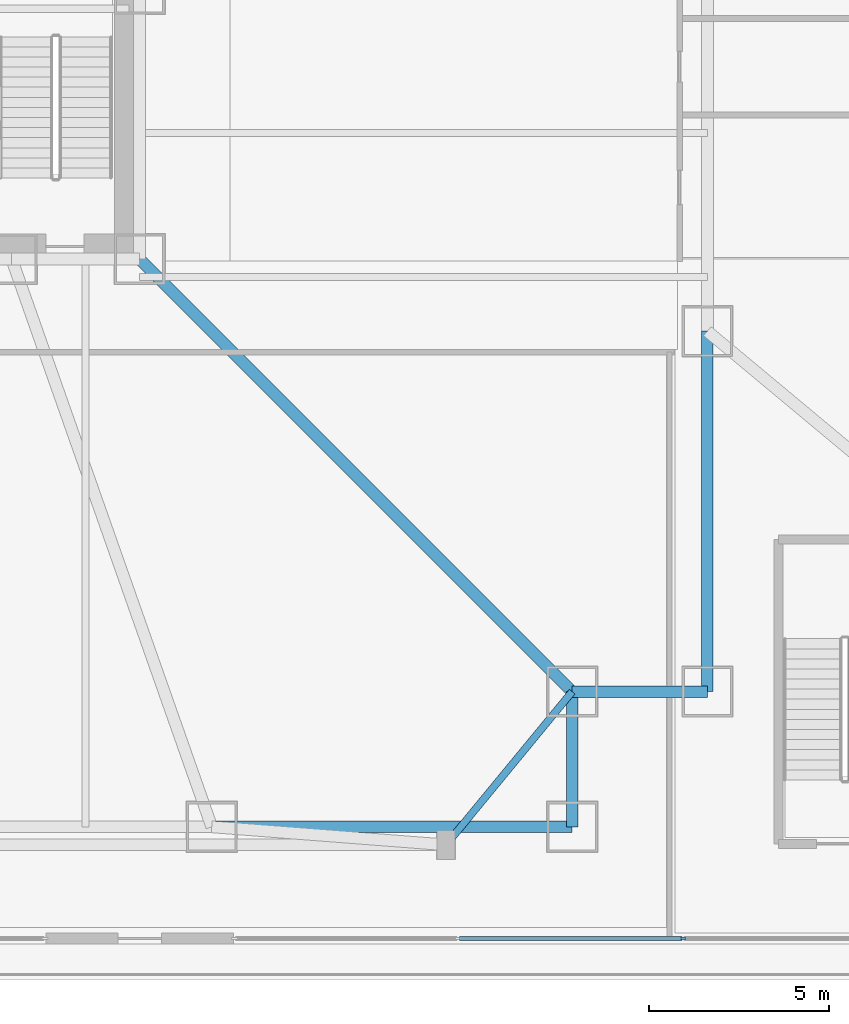
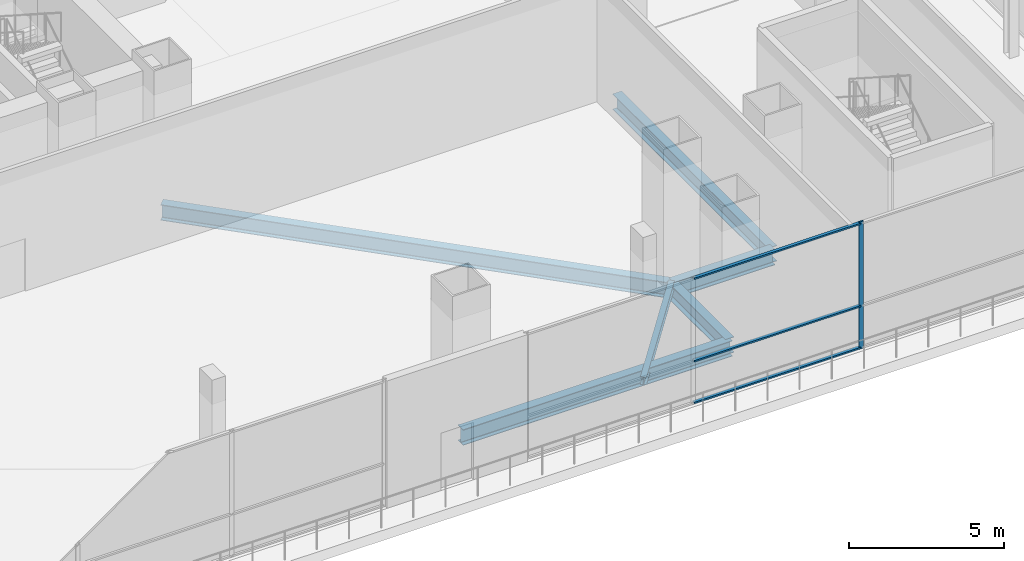
# One storey, part 10 of 35: 6 beams, 4 members, 1 element without a shape of its own.
"""IFC4 building model written with IfcOpenShell, lengths in metres."""

from ifc_helpers import new_model, si_unit, direction, frame, origin, origin_2d, place, context, subcontext, project, spatial, rectangle, i_section, extrude, material, layer, layer_set, material_profile, profile_set, type_object, element, aggregate, save


model = new_model("IFC4")

# Units and contexts
model_context = context("Model", 3, precision=1e-05, world=origin(), true_north=direction((0.0, 1.0)))
body_context = subcontext(model_context, "Body", "Model", "MODEL_VIEW")
ifc_project = project(units=[si_unit("LENGTHUNIT", "METRE"), si_unit("AREAUNIT", "SQUARE_METRE"), si_unit("VOLUMEUNIT", "CUBIC_METRE"), si_unit("PLANEANGLEUNIT", "RADIAN"), si_unit("MASSUNIT", "GRAM", prefix="KILO")], contexts=[model_context])

# Site, building, storey
site_placement = place(None, origin())
site = spatial("IfcSite", under=ifc_project, at=site_placement, CompositionType="ELEMENT")
building_placement = place(site_placement, origin())
building = spatial("IfcBuilding", under=site, at=building_placement, Name="Trevonay Congress Spire", CompositionType="ELEMENT")
storey_placement = place(building_placement, frame((0.0, 0.0, 10.800048828125)))
storey = spatial("IfcBuildingStorey", under=building, at=storey_placement, Name="L02", CompositionType="ELEMENT", Elevation=10.800048828125)

# Beams
ifc_material_1 = material(Name="Steel ASTM A572 Grade 50", Category="steel")
ifc_material_profile_1 = material_profile(ifc_material_1, i_section(OverallWidth=0.324951171875, OverallDepth=0.615966796875, WebThickness=0.013916015625, FlangeThickness=0.021484375, FilletRadius=0.01806640625, at=origin_2d()), Name="W610x174")
ifc_profile_set_1 = profile_set([ifc_material_profile_1], Name="Steel ASTM A572 Grade 50")
beam_type_1 = type_object("IfcBeamType", Name="BM-GIRD-W610X174", PredefinedType="BEAM", material=ifc_profile_set_1)
beam_1_placement = place(storey_placement, frame((9.5, -23.25, -0.7080078125), z_axis=(1.0, 0.0, 0.0), x_axis=(0.0, 1.0, 0.0)))
element("IfcBeam", 1, at=beam_1_placement, inside=storey, type_object=beam_type_1, Name="L02 structural beam BM-L02-MS3", PredefinedType="BEAM", context=body_context, shape_type="SweptSolid", body=[
    extrude(i_section(OverallWidth=0.324951171875, OverallDepth=0.615966796875, WebThickness=0.013916015625, FlangeThickness=0.021484375, FilletRadius=0.01806640625, at=origin_2d()), origin(), (0.0, 0.0, 1.0), 10.0),
])
beam_2_placement = place(storey_placement, frame((19.5, -23.25, -0.7080078125), z_axis=(0.0, 1.0, 0.0), x_axis=(-1.0, 0.0, 0.0)))
element("IfcBeam", 2, at=beam_2_placement, inside=storey, type_object=beam_type_1, Name="L02 structural beam BM-L02-CSE", PredefinedType="BEAM", context=body_context, shape_type="SweptSolid", body=[
    extrude(i_section(OverallWidth=0.324951171875, OverallDepth=0.615966796875, WebThickness=0.013916015625, FlangeThickness=0.021484375, FilletRadius=0.01806640625, at=origin_2d()), origin(), (0.0, 0.0, 1.0), 3.75),
])
beam_3_placement = place(storey_placement, frame((23.25, -19.5, -0.7080078125), z_axis=(0.0, 1.0, 0.0), x_axis=(-1.0, 0.0, 0.0)))
element("IfcBeam", 3, at=beam_3_placement, inside=storey, type_object=beam_type_1, Name="L02 structural beam BM-L02-ME1", PredefinedType="BEAM", context=body_context, shape_type="SweptSolid", body=[
    extrude(i_section(OverallWidth=0.324951171875, OverallDepth=0.615966796875, WebThickness=0.013916015625, FlangeThickness=0.021484375, FilletRadius=0.01806640625, at=origin_2d()), origin(), (0.0, 0.0, 1.0), 10.0),
])
beam_4_placement = place(storey_placement, frame((23.25, -19.5, -0.7080078125), z_axis=(-1.0, 0.0, 0.0), x_axis=(0.0, -1.0, 0.0)))
element("IfcBeam", 4, at=beam_4_placement, inside=storey, type_object=beam_type_1, Name="L02 structural beam BM-L02-CES", PredefinedType="BEAM", context=body_context, shape_type="SweptSolid", body=[
    extrude(i_section(OverallWidth=0.324951171875, OverallDepth=0.615966796875, WebThickness=0.013916015625, FlangeThickness=0.021484375, FilletRadius=0.01806640625, at=origin_2d()), origin(), (0.0, 0.0, 1.0), 3.75),
])
beam_5_placement = place(storey_placement, frame((7.5, -7.5, -0.7080078125), z_axis=(0.707106781187, -0.707106781187, 0.0), x_axis=(0.707106781187, 0.707106781187, 0.0)))
element("IfcBeam", 5, at=beam_5_placement, inside=storey, type_object=beam_type_1, Name="L02 structural beam BM-L02-RAD-SE", PredefinedType="BEAM", context=body_context, shape_type="SweptSolid", body=[
    extrude(i_section(OverallWidth=0.324951171875, OverallDepth=0.615966796875, WebThickness=0.013916015625, FlangeThickness=0.021484375, FilletRadius=0.01806640625, at=origin_2d()), origin(), (0.0, 0.0, 1.0), 16.970458984375),
])

# Curtain wall, members
ifc_material_2 = material(Name="Pale Anodised Aluminium EN AW-6063-T6", Category="aluminium")
ifc_layer = layer(ifc_material_2, 0.179931640625, Name="Pale Anodised Aluminium EN AW-6063-T6")
ifc_layer_set = layer_set([ifc_layer], Name="Pale Anodised Aluminium EN AW-6063-T6")
curtain_wall_type = type_object("IfcCurtainWallType", Name="CW-SYS01-PODIUM-PALE-METAL", PredefinedType="NOTDEFINED", material=ifc_layer_set)
curtain_wall_placement = place(storey_placement, origin())
curtain_wall = element("IfcCurtainWall", 6, at=curtain_wall_placement, inside=storey, type_object=curtain_wall_type, Name="L02 S2 podium curtain wall", PredefinedType="NOTDEFINED")
ifc_material_profile_2 = material_profile(ifc_material_2, rectangle(XDim=0.06005859375, YDim=0.159912109375, at=origin_2d()), Name="CW-MULLION-160-ALUMINIUM")
ifc_profile_set_2 = profile_set([ifc_material_profile_2], Name="Pale Anodised Aluminium EN AW-6063-T6")
member_type_1 = type_object("IfcMemberType", Name="CW-MULLION-160-ALUMINIUM", PredefinedType="MULLION", material=ifc_profile_set_2)
member_1_placement = place(storey_placement, frame((22.574951171875, -26.35009765625, 0.0), z_axis=(0.0, 0.0, 1.0), x_axis=(0.0, 1.0, 0.0)))
member_1 = element("IfcMember", 7, at=member_1_placement, type_object=member_type_1, Name="CW01 mullion 3", PredefinedType="MULLION", context=body_context, shape_type="SweptSolid", body=[
    extrude(rectangle(XDim=0.06005859375, YDim=0.159912109375, at=origin_2d()), origin(), (0.0, 0.0, 1.0), 5.0),
])
ifc_material_profile_3 = material_profile(ifc_material_2, rectangle(XDim=0.1201171875, YDim=0.06005859375, at=origin_2d()), Name="CW-TRANSOM-120-ALUMINIUM")
ifc_profile_set_3 = profile_set([ifc_material_profile_3], Name="Pale Anodised Aluminium EN AW-6063-T6")
member_type_2 = type_object("IfcMemberType", Name="CW-TRANSOM-120-ALUMINIUM", PredefinedType="USERDEFINED", material=ifc_profile_set_3)
member_2_placement = place(storey_placement, frame((16.367431640625, -26.35009765625, 0.06005859375), z_axis=(1.0, 0.0, 0.0), x_axis=(0.0, 1.0, 0.0)))
member_2 = element("IfcMember", 8, at=member_2_placement, type_object=member_type_2, Name="CW01 transom 2.1", ObjectType="TRANSOM", PredefinedType="USERDEFINED", context=body_context, shape_type="SweptSolid", body=[
    extrude(rectangle(XDim=0.1201171875, YDim=0.06005859375, at=origin_2d()), origin(), (0.0, 0.0, 1.0), 6.177490234375),
])
member_3_placement = place(storey_placement, frame((16.367431640625, -26.35009765625, 1.699951171875), z_axis=(1.0, 0.0, 0.0), x_axis=(0.0, 1.0, 0.0)))
member_3 = element("IfcMember", 9, at=member_3_placement, type_object=member_type_2, Name="CW01 transom 2.2", ObjectType="TRANSOM", PredefinedType="USERDEFINED", context=body_context, shape_type="SweptSolid", body=[
    extrude(rectangle(XDim=0.1201171875, YDim=0.06005859375, at=origin_2d()), origin(), (0.0, 0.0, 1.0), 6.177490234375),
])
member_4_placement = place(storey_placement, frame((16.367431640625, -26.35009765625, 4.93994140625), z_axis=(1.0, 0.0, 0.0), x_axis=(0.0, 1.0, 0.0)))
member_4 = element("IfcMember", 10, at=member_4_placement, type_object=member_type_2, Name="CW01 transom 2.3", ObjectType="TRANSOM", PredefinedType="USERDEFINED", context=body_context, shape_type="SweptSolid", body=[
    extrude(rectangle(XDim=0.1201171875, YDim=0.06005859375, at=origin_2d()), origin(), (0.0, 0.0, 1.0), 6.177490234375),
])
aggregate(curtain_wall, [member_1, member_2, member_3, member_4])

# Beam
ifc_material_profile_4 = material_profile(ifc_material_1, i_section(OverallWidth=0.2041015625, OverallDepth=0.305908203125, WebThickness=0.008544921875, FlangeThickness=0.0146484375, FilletRadius=0.010986328125, at=origin_2d()), Name="W310x67")
ifc_profile_set_4 = profile_set([ifc_material_profile_4], Name="Steel ASTM A572 Grade 50")
beam_type_2 = type_object("IfcBeamType", Name="SPB-W310X67", PredefinedType="SPANDREL", material=ifc_profile_set_4)
beam_6_placement = place(storey_placement, frame((16.0, -23.75, -0.552978515625), z_axis=(0.635707252861, 0.771930235617, 0.0), x_axis=(-0.771930235617, 0.635707252861, 0.0)))
element("IfcBeam", 11, at=beam_6_placement, inside=storey, type_object=beam_type_2, Name="L02 structural beam SPB-L02-SE", PredefinedType="SPANDREL", context=body_context, shape_type="SweptSolid", body=[
    extrude(i_section(OverallWidth=0.2041015625, OverallDepth=0.305908203125, WebThickness=0.008544921875, FlangeThickness=0.0146484375, FilletRadius=0.010986328125, at=origin_2d()), origin(), (0.0, 0.0, 1.0), 5.505615234375),
])

save(model, "model.ifc")
